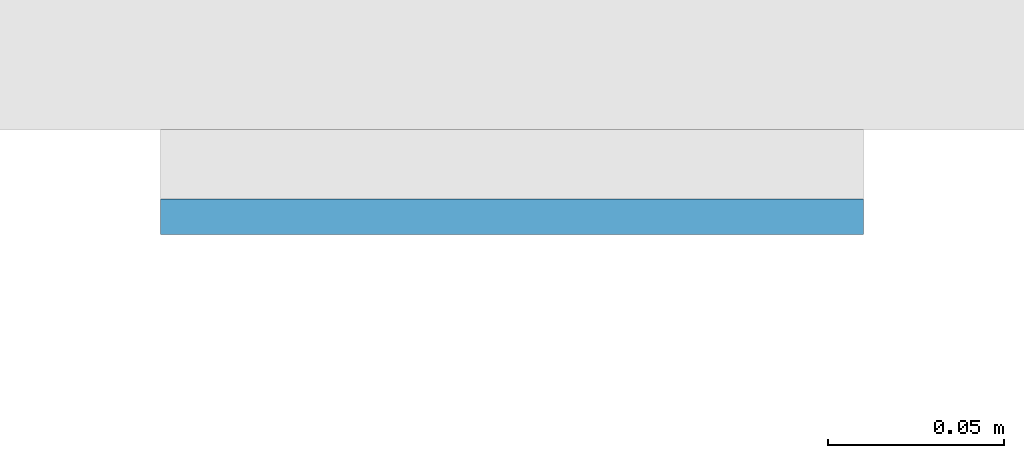
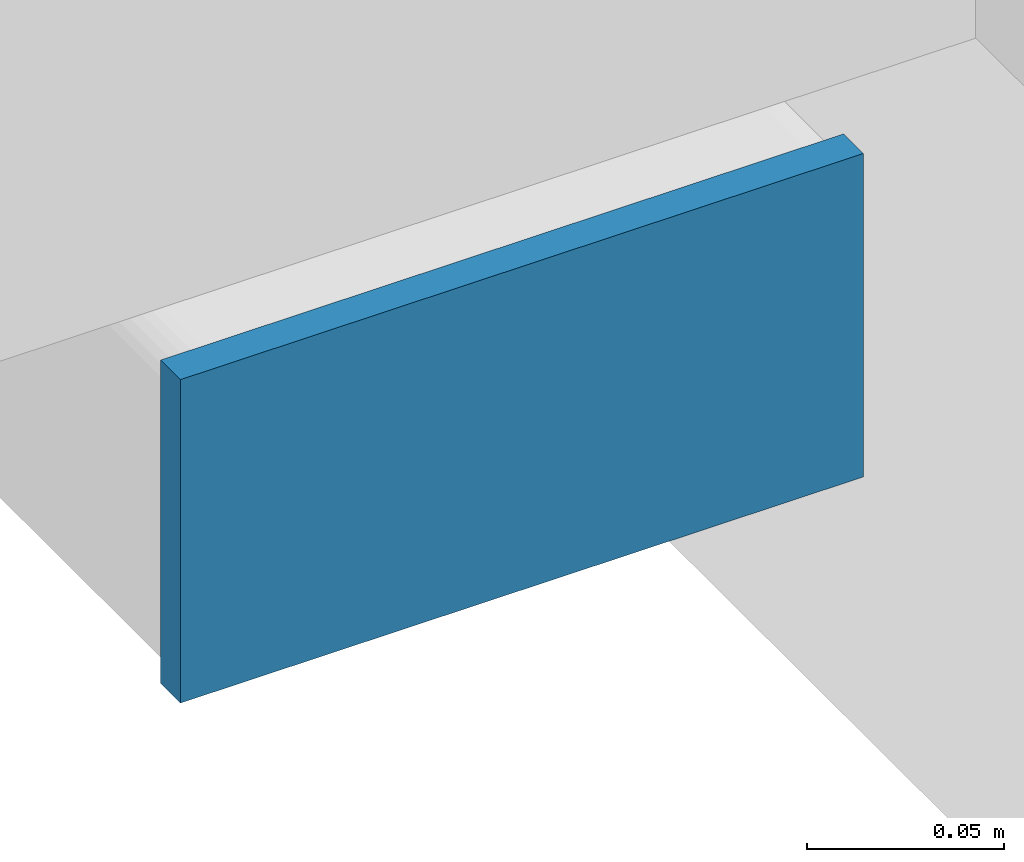
# One storey, part 8 of 20: 1 plate.
"""IFC4 building model written with IfcOpenShell, lengths in metres."""

from ifc_helpers import new_model, si_unit, direction, frame, origin, origin_2d, place, context, subcontext, project, spatial, rectangle, extrude, material, layer, layer_set, type_object, element, save


model = new_model("IFC4")

# Units and contexts
model_context = context("Model", 3, precision=1e-05, world=origin(), true_north=direction((0.0, 1.0)))
body_context = subcontext(model_context, "Body", "Model", "MODEL_VIEW")
ifc_project = project(units=[si_unit("LENGTHUNIT", "METRE"), si_unit("AREAUNIT", "SQUARE_METRE"), si_unit("VOLUMEUNIT", "CUBIC_METRE"), si_unit("PLANEANGLEUNIT", "RADIAN"), si_unit("MASSUNIT", "GRAM", prefix="KILO")], contexts=[model_context])

# Site, building, storey
site_placement = place(None, origin())
site = spatial("IfcSite", under=ifc_project, at=site_placement, CompositionType="ELEMENT")
building_placement = place(site_placement, origin())
building = spatial("IfcBuilding", under=site, at=building_placement, Name="Cleftline Residences", CompositionType="ELEMENT")
storey_placement = place(building_placement, frame((0.0, 0.0, 83.60009765625)))
storey = spatial("IfcBuildingStorey", under=building, at=storey_placement, Name="L21", CompositionType="ELEMENT", Elevation=83.60009765625)

# Plate
ifc_material = material(Name="Steel S355, hot-dip galvanised", Category="steel")
ifc_layer = layer(ifc_material, 0.010009765625)
ifc_layer_set = layer_set([ifc_layer], Name="BAGUETTE CARRIER END PLATE 200X100X10")
plate_type = type_object("IfcPlateType", Name="BAGUETTE CARRIER END PLATE 200X100X10", PredefinedType="USERDEFINED", material=ifc_layer_set)
plate_placement = place(storey_placement, frame((-0.85009765625, 3.695068359375, -0.10009765625), z_axis=(0.0, 0.0, 1.0), x_axis=(-1.0, 0.0, 0.0)))
element("IfcPlate", 1, at=plate_placement, inside=storey, type_object=plate_type, Name="Baguette carrier end plate", ObjectType="BAGUETTE CARRIER END PLATE", PredefinedType="USERDEFINED", context=body_context, shape_type="SweptSolid", body=[
    extrude(rectangle(XDim=0.199951171875, YDim=0.010009765625, at=origin_2d()), origin(), (0.0, 0.0, 1.0), 0.10009765625),
])

save(model, "model.ifc")
